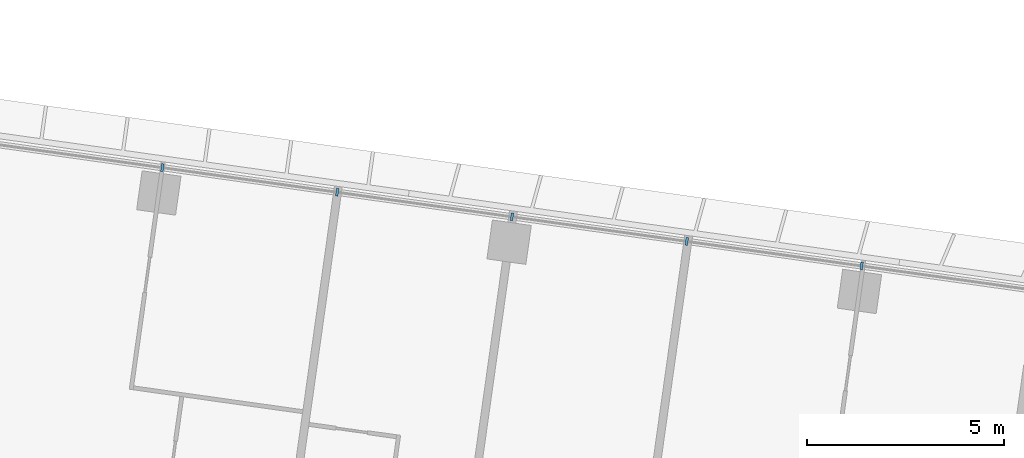
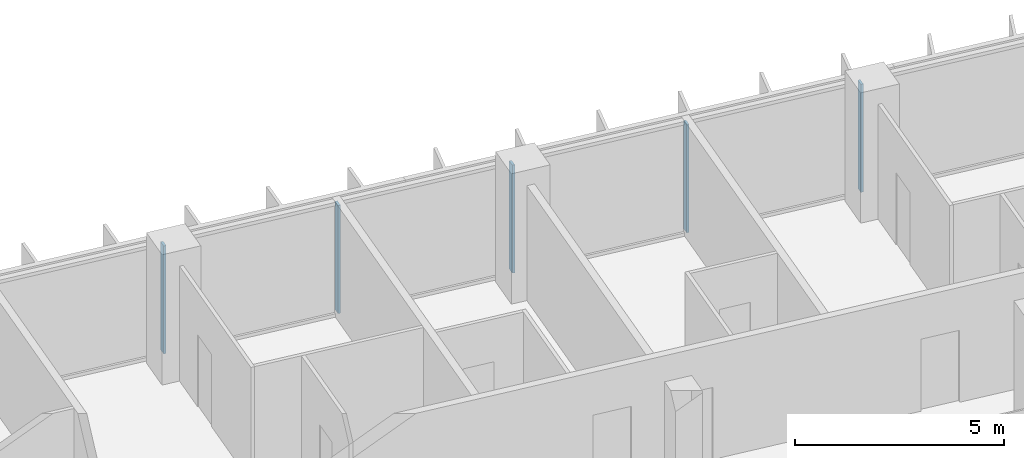
# One storey, part 5 of 24: 5 members, 1 element without a shape of its own.
"""IFC4 building model written with IfcOpenShell, lengths in metres."""

from ifc_helpers import new_model, si_unit, direction, frame, origin, origin_2d, place, context, subcontext, project, spatial, rectangle, extrude, material, material_profile, profile_set, type_object, element, aggregate, save


model = new_model("IFC4")

# Units and contexts
model_context = context("Model", 3, precision=1e-05, world=origin(), true_north=direction((0.0, 1.0)))
body_context = subcontext(model_context, "Body", "Model", "MODEL_VIEW")
ifc_project = project(units=[si_unit("LENGTHUNIT", "METRE"), si_unit("AREAUNIT", "SQUARE_METRE"), si_unit("VOLUMEUNIT", "CUBIC_METRE"), si_unit("PLANEANGLEUNIT", "RADIAN"), si_unit("MASSUNIT", "GRAM", prefix="KILO")], contexts=[model_context])

# Site, building, storey
site_placement = place(None, origin())
site = spatial("IfcSite", under=ifc_project, at=site_placement, CompositionType="ELEMENT")
building_placement = place(site_placement, origin())
building = spatial("IfcBuilding", under=site, at=building_placement, Name="Mirante Cascada Hotel Towers", CompositionType="ELEMENT")
storey_placement = place(building_placement, frame((0.0, 0.0, 85.1)))
storey = spatial("IfcBuildingStorey", under=building, at=storey_placement, Name="L18", CompositionType="ELEMENT", Elevation=85.1)

# Curtain wall, members
ifc_material_1 = material(Name="Aluminium mullion and transom frame with clear laminated glass", Category="aluminium")
curtain_wall_type = type_object("IfcCurtainWallType", Name="Ribbon curtain wall ECW1", PredefinedType="NOTDEFINED", material=ifc_material_1)
curtain_wall_placement = place(storey_placement, origin())
curtain_wall = element("IfcCurtainWall", 1, at=curtain_wall_placement, inside=storey, type_object=curtain_wall_type, Name="Front ribbon wall T1 L18", PredefinedType="NOTDEFINED")
ifc_material_2 = material(Name="Anodised aluminium extrusion", Category="aluminium")
ifc_material_profile = material_profile(ifc_material_2, rectangle(XDim=0.2, YDim=0.065, at=origin_2d()), Name="ECW1 MULLION 65x200")
ifc_profile_set = profile_set([ifc_material_profile], Name="Anodised aluminium extrusion")
member_type = type_object("IfcMemberType", Name="ECW1 mullion 65x200", PredefinedType="MULLION", material=ifc_profile_set)
member_1_placement = place(storey_placement, frame((-63.0262, 21.6768, 0.1), z_axis=(0.0, 0.0, 1.0), x_axis=(0.1391731, 0.9902681, 0.0)))
member_1 = element("IfcMember", 2, at=member_1_placement, type_object=member_type, Name="ECW1 mullion 8", PredefinedType="MULLION", context=body_context, shape_type="SweptSolid", body=[
    extrude(rectangle(XDim=0.2, YDim=0.065, at=origin_2d()), origin(), (0.0, 0.0, 1.0), 3.15),
])
member_2_placement = place(storey_placement, frame((-58.5788, 21.0517, 0.1), z_axis=(0.0, 0.0, 1.0), x_axis=(0.1391731, 0.9902681, 0.0)))
member_2 = element("IfcMember", 3, at=member_2_placement, type_object=member_type, Name="ECW1 mullion 9", PredefinedType="MULLION", context=body_context, shape_type="SweptSolid", body=[
    extrude(rectangle(XDim=0.2, YDim=0.065, at=origin_2d()), origin(), (0.0, 0.0, 1.0), 3.15),
])
member_3_placement = place(storey_placement, frame((-54.1314, 20.4267, 0.1), z_axis=(0.0, 0.0, 1.0), x_axis=(0.1391731, 0.9902681, 0.0)))
member_3 = element("IfcMember", 4, at=member_3_placement, type_object=member_type, Name="ECW1 mullion 10", PredefinedType="MULLION", context=body_context, shape_type="SweptSolid", body=[
    extrude(rectangle(XDim=0.2, YDim=0.065, at=origin_2d()), origin(), (0.0, 0.0, 1.0), 3.15),
])
member_4_placement = place(storey_placement, frame((-49.684, 19.8017, 0.1), z_axis=(0.0, 0.0, 1.0), x_axis=(0.1391731, 0.9902681, 0.0)))
member_4 = element("IfcMember", 5, at=member_4_placement, type_object=member_type, Name="ECW1 mullion 11", PredefinedType="MULLION", context=body_context, shape_type="SweptSolid", body=[
    extrude(rectangle(XDim=0.2, YDim=0.065, at=origin_2d()), origin(), (0.0, 0.0, 1.0), 3.15),
])
member_5_placement = place(storey_placement, frame((-45.2366, 19.1766, 0.1), z_axis=(0.0, 0.0, 1.0), x_axis=(0.1391731, 0.9902681, 0.0)))
member_5 = element("IfcMember", 6, at=member_5_placement, type_object=member_type, Name="ECW1 mullion 12", PredefinedType="MULLION", context=body_context, shape_type="SweptSolid", body=[
    extrude(rectangle(XDim=0.2, YDim=0.065, at=origin_2d()), origin(), (0.0, 0.0, 1.0), 3.15),
])
aggregate(curtain_wall, [member_1, member_2, member_3, member_4, member_5])

save(model, "model.ifc")
